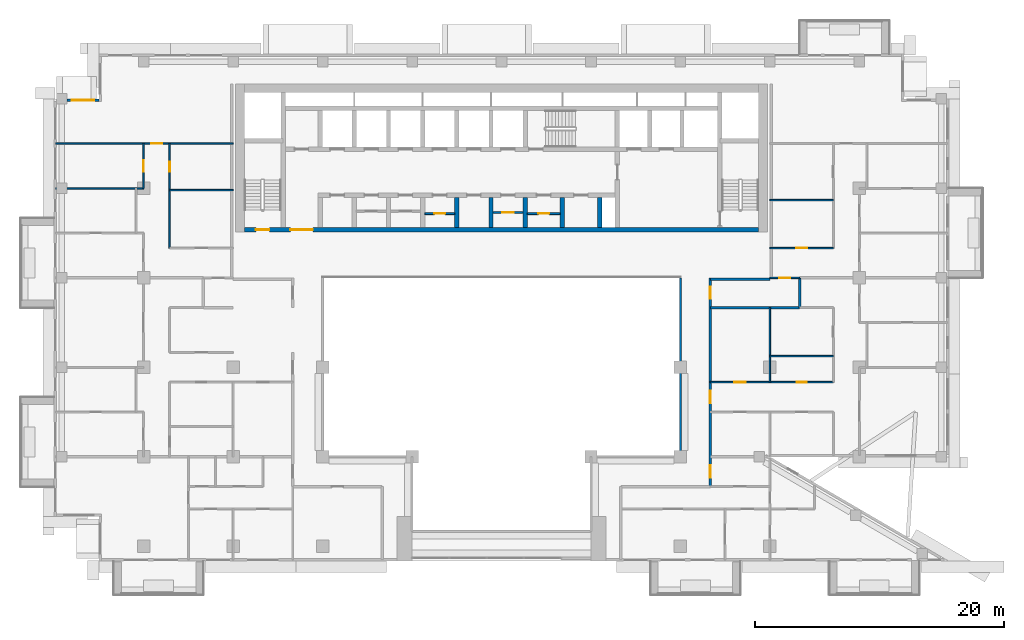
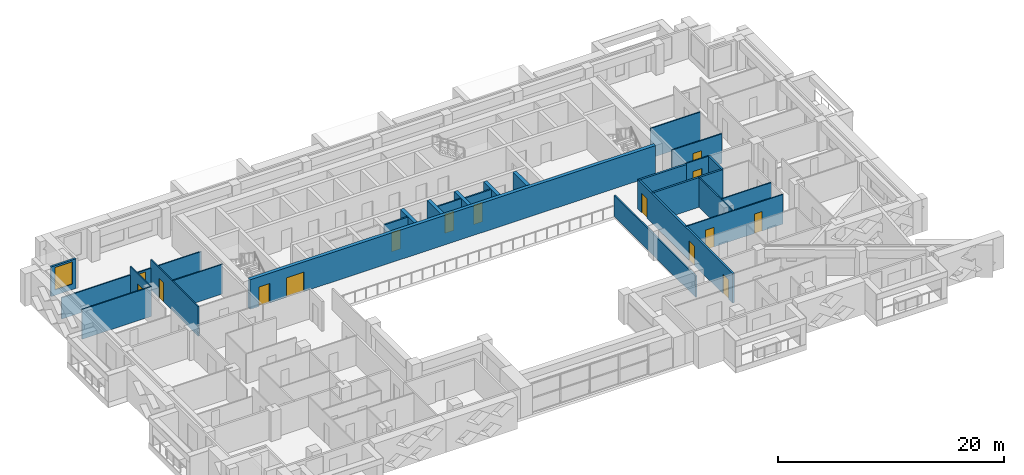
# One storey, part 9 of 20: 26 walls, 15 doors, 1 window, 16 openings.
"""IFC4 building model written with IfcOpenShell, lengths in metres."""

import ifcopenshell
import ifcopenshell.guid

model = None  # the IFC model being written
_history = None  # IfcOwnerHistory: only IFC2X3 demands one
_inside = {}  # id of a spatial element -> (the spatial element, [elements in it])
_under = {}  # id of a project, library or spatial element -> (it, [spatial elements below it])
_declared = {}  # id of a project -> (the project, [libraries it declares])
_typed = {}  # id of a type object -> (the type object, [elements of that type])
_made_of = {}  # id of a material, layer set ... -> (it, [elements and type objects made of it])


def new_model(schema):
    """Start an empty IFC model of exactly this schema.

    Asked for "IFC4X3", IfcOpenShell would pick the latest addendum, in which some entities
    have other attributes; the version numbers below select the first issue.
    IFC2X3 requires an IfcOwnerHistory on every rooted entity: one is made here for all.
    """
    global model, _history
    if schema == "IFC4X3":
        model = ifcopenshell.file(schema_version=(4, 3, 0, 0))
    else:
        model = ifcopenshell.file(schema=schema)
    _inside.clear()
    _under.clear()
    _declared.clear()
    _typed.clear()
    _made_of.clear()
    _history = None
    if model.schema == "IFC2X3":
        org = make("IfcOrganization", Name="unknown")
        user = make(
            "IfcPersonAndOrganization",
            ThePerson=make("IfcPerson", FamilyName="unknown"),
            TheOrganization=org,
        )
        app = make(
            "IfcApplication",
            ApplicationDeveloper=org,
            Version="unknown",
            ApplicationFullName="unknown",
            ApplicationIdentifier="unknown",
        )
        _history = make(
            "IfcOwnerHistory",
            OwningUser=user,
            OwningApplication=app,
            ChangeAction="ADDED",
            CreationDate=0,
        )
    return model


def make(cls, **values):
    """One entity of the class cls with the attributes given. An attribute that is None is left unset."""
    return model.create_entity(
        cls, **{name: value for name, value in values.items() if value is not None}
    )


def rooted(cls, **values):
    """An entity with a GlobalId (a new one), such as an element, a storey or a relation."""
    return make(cls, GlobalId=ifcopenshell.guid.new(), OwnerHistory=_history, **values)


def si_unit(unit_type, name, prefix=None):
    """IfcSIUnit, for example si_unit("LENGTHUNIT", "METRE", prefix="MILLI")."""
    return make("IfcSIUnit", UnitType=unit_type, Prefix=prefix, Name=name)


def assignment(units):
    """IfcUnitAssignment: the units of a project."""
    return None if units is None else make("IfcUnitAssignment", Units=units)


def point(xyz):
    """IfcCartesianPoint."""
    return None if xyz is None else make("IfcCartesianPoint", Coordinates=xyz)


def direction(xyz):
    """IfcDirection."""
    return None if xyz is None else make("IfcDirection", DirectionRatios=xyz)


def frame(location, z_axis=None, x_axis=None):
    """IfcAxis2Placement3D, a coordinate frame: its origin and axes. An axis left out is left unset."""
    return make(
        "IfcAxis2Placement3D",
        Location=point(location),
        Axis=direction(z_axis),
        RefDirection=direction(x_axis),
    )


def frame_2d(location, x_axis=None):
    """IfcAxis2Placement2D, a coordinate frame in the plane: its origin and x axis."""
    return make(
        "IfcAxis2Placement2D", Location=point(location), RefDirection=direction(x_axis)
    )


def origin():
    """The frame at (0, 0, 0) with its axes left unset."""
    return frame((0.0, 0.0, 0.0))


def place(relative_to, where):
    """IfcLocalPlacement: puts the frame where relative to a parent placement (None: the world)."""
    return make(
        "IfcLocalPlacement", PlacementRelTo=relative_to, RelativePlacement=where
    )


def context(
    kind, dimensions, precision=None, world=None, true_north=None, identifier=None
):
    """IfcGeometricRepresentationContext, for example the 3D "Model" context."""
    return make(
        "IfcGeometricRepresentationContext",
        ContextIdentifier=identifier,
        ContextType=kind,
        CoordinateSpaceDimension=dimensions,
        Precision=precision,
        WorldCoordinateSystem=world,
        TrueNorth=true_north,
    )


def subcontext(parent, identifier, kind, view, scale=None):
    """IfcGeometricRepresentationSubContext, for example "Body" below "Model"."""
    return make(
        "IfcGeometricRepresentationSubContext",
        ContextIdentifier=identifier,
        ContextType=kind,
        ParentContext=parent,
        TargetScale=scale,
        TargetView=view,
    )


def project(units=None, contexts=None):
    """IfcProject with its units and contexts."""
    return rooted(
        "IfcProject",
        Name="project",
        RepresentationContexts=contexts,
        UnitsInContext=assignment(units),
    )


def spatial(cls, under=None, at=None, **own):
    """A site, building, storey or space (cls), placed at a placement, below another one or the project."""
    s = rooted(cls, ObjectPlacement=at, **own)
    if under is not None:
        _under.setdefault(under.id(), (under, []))[1].append(s)
    return s


def profile(cls, at=None, kind="AREA", **sizes):
    """A parametric profile (cls). Its sizes go by their IFC names, for example OverallWidth=200.0."""
    return make(cls, ProfileType=kind, Position=at, **sizes)


def rectangle(**sizes):
    """IfcRectangleProfileDef."""
    return profile("IfcRectangleProfileDef", **sizes)


def extrude(swept, where, along, depth):
    """IfcExtrudedAreaSolid: the profile swept, set in the frame where, extruded along a direction by depth."""
    return make(
        "IfcExtrudedAreaSolid",
        SweptArea=swept,
        Position=where,
        ExtrudedDirection=direction(along),
        Depth=depth,
    )


def shape(context_of_items, identifier, shape_type, items):
    """IfcShapeRepresentation: the items that make up one representation, for example the "Body"."""
    return make(
        "IfcShapeRepresentation",
        ContextOfItems=context_of_items,
        RepresentationIdentifier=identifier,
        RepresentationType=shape_type,
        Items=items,
    )


def material(Name=None, Category=None):
    """IfcMaterial."""
    return make("IfcMaterial", Name=Name, Category=Category)


def layer(
    of_material, thickness, ventilated=None, Name=None, Category=None, Priority=None
):
    """IfcMaterialLayer: one layer of a wall or slab, of a material (None: an air gap)."""
    return make(
        "IfcMaterialLayer",
        Material=of_material,
        LayerThickness=thickness,
        IsVentilated=ventilated,
        Name=Name,
        Category=Category,
        Priority=Priority,
    )


def layer_set(layers, Name=None):
    """IfcMaterialLayerSet."""
    return make("IfcMaterialLayerSet", MaterialLayers=layers, LayerSetName=Name)


def made_of(thing, what):
    """Note that an element or type object is made of a material, layer set ...; save() writes the relation."""
    if what is not None:
        _made_of.setdefault(what.id(), (what, []))[1].append(thing)
    return thing


def type_object(cls, material=None, **own):
    """A type object (cls), such as IfcWallType, which elements share."""
    return made_of(rooted(cls, **own), material)


def element(
    cls,
    number,
    at=None,
    inside=None,
    cuts=None,
    type_object=None,
    material=None,
    context=None,
    identifier="Body",
    shape_type=None,
    held_by="IfcProductDefinitionShape",
    body=None,
    shapes=None,
    **own,
):
    """One element of the class cls, such as IfcWall. Its Tag is "e" and its number.

    at: its placement. inside: the storey or other place that contains it. cuts: it is an
    opening in that element (IfcRelVoidsElement). A single representation is given by context,
    identifier, shape_type and body (its items); several are given by shapes. held_by: the class
    of the entity that holds the representations. save() writes the other relations.
    """
    e = rooted(cls, Tag="e%d" % number, ObjectPlacement=at, **own)
    if body is not None:
        shapes = [shape(context, identifier, shape_type, body)]
    if shapes is not None:
        e.Representation = make(held_by, Representations=shapes)
    if inside is not None:
        _inside.setdefault(inside.id(), (inside, []))[1].append(e)
    if cuts is not None:
        rooted(
            "IfcRelVoidsElement", RelatingBuildingElement=cuts, RelatedOpeningElement=e
        )
    if type_object is not None:
        _typed.setdefault(type_object.id(), (type_object, []))[1].append(e)
    return made_of(e, material)


def fill(opening, filler):
    """IfcRelFillsElement: the door or window that sits in an opening."""
    return rooted(
        "IfcRelFillsElement",
        RelatingOpeningElement=opening,
        RelatedBuildingElement=filler,
    )


def aggregate(whole, parts):
    """IfcRelAggregates: a whole, such as a stair, and the parts it consists of."""
    return rooted("IfcRelAggregates", RelatingObject=whole, RelatedObjects=parts)


def save(model, path):
    """Write the relations noted so far, then the file.

    IfcRelAggregates (storeys below a building ...), IfcRelContainedInSpatialStructure (elements
    in a storey), IfcRelDefinesByType, IfcRelAssociatesMaterial and IfcRelDeclares: one each for
    every whole, place, type object, material and project.
    """
    for whole, parts in _under.values():
        aggregate(whole, parts)
    for where, things in _inside.values():
        rooted(
            "IfcRelContainedInSpatialStructure",
            RelatedElements=things,
            RelatingStructure=where,
        )
    for kind, things in _typed.values():
        rooted("IfcRelDefinesByType", RelatedObjects=things, RelatingType=kind)
    for what, things in _made_of.values():
        rooted("IfcRelAssociatesMaterial", RelatedObjects=things, RelatingMaterial=what)
    for by, libraries in _declared.values():
        rooted("IfcRelDeclares", RelatingContext=by, RelatedDefinitions=libraries)
    model.write(path)


model = new_model("IFC4")

# Units and contexts
model_context = context("Model", 3, precision=1e-05, world=origin(), true_north=direction((0.0, 1.0)))
body_context = subcontext(model_context, "Body", "Model", "MODEL_VIEW")
ifc_project = project(units=[si_unit("LENGTHUNIT", "METRE"), si_unit("AREAUNIT", "SQUARE_METRE"), si_unit("VOLUMEUNIT", "CUBIC_METRE"), si_unit("PLANEANGLEUNIT", "RADIAN"), si_unit("MASSUNIT", "GRAM", prefix="KILO")], contexts=[model_context])

# Site, building, storey
site_placement = place(None, origin())
site = spatial("IfcSite", under=ifc_project, at=site_placement, CompositionType="ELEMENT")
building_placement = place(site_placement, origin())
building = spatial("IfcBuilding", under=site, at=building_placement, Name="Saffron Iwan Residences", CompositionType="ELEMENT")
storey_placement = place(building_placement, frame((0.0, 0.0, 171.0)))
storey = spatial("IfcBuildingStorey", under=building, at=storey_placement, Name="L45", CompositionType="ELEMENT", Elevation=171.0)

# Wall
ifc_material_1 = material(Name="Fire-rated glazing", Category="glass")
ifc_layer_1 = layer(ifc_material_1, 0.14990234375)
ifc_layer_set_1 = layer_set([ifc_layer_1], Name="Fire-rated glazing")
wall_type_1 = type_object("IfcWallType", Name="Atrium glazed screen 150", PredefinedType="SOLIDWALL", material=ifc_layer_set_1)
wall_1_placement = place(storey_placement, frame((64.800048828125, 48.0, 0.0), z_axis=(0.0, 0.0, 1.0), x_axis=(0.0, 1.0, 0.0)))
element("IfcWall", 1, at=wall_1_placement, inside=storey, type_object=wall_type_1, Name="W-L45-SCREEN-v64.8-48", PredefinedType="SOLIDWALL", context=body_context, shape_type="SweptSolid", body=[
    extrude(rectangle(XDim=14.39990234375, YDim=0.14990234375, at=frame_2d((7.199951171875, 0.0))), origin(), (0.0, 0.0, 1.0), 2.300048828125),
])

# Wall, opening, door
ifc_material_2 = material(Name="Fire-rated plasterboard partition")
ifc_layer_2 = layer(ifc_material_2, 0.14990234375)
ifc_layer_set_2 = layer_set([ifc_layer_2], Name="Fire-rated plasterboard partition")
wall_type_2 = type_object("IfcWallType", Name="Core partition 150", PredefinedType="PARTITIONING", material=ifc_layer_set_2)
wall_2_placement = place(storey_placement, frame((44.22509765625, 67.5654296875, 0.0), z_axis=(0.0, 0.0, 1.0), x_axis=(1.0, 0.0, 0.0)))
wall_2 = element("IfcWall", 2, at=wall_2_placement, inside=storey, type_object=wall_type_2, Name="Core partition P03", PredefinedType="PARTITIONING", context=body_context, shape_type="SweptSolid", body=[
    extrude(rectangle(XDim=2.39990234375, YDim=0.14990234375, at=frame_2d((1.199951171875, 0.0))), origin(), (0.0, 0.0, 1.0), 3.199951171875),
])
opening_1_placement = place(wall_2_placement, frame((0.75, 0.0, 0.0)))
opening_1 = element("IfcOpeningElement", 3, at=opening_1_placement, cuts=wall_2, Name="Opening SB", PredefinedType="OPENING", context=body_context, shape_type="SweptSolid", body=[
    extrude(rectangle(XDim=0.89990234375, YDim=2.10009765625, at=frame_2d((0.449951171875, 1.050048828125))), frame((0.0, 0.0849609375, 0.0), z_axis=(0.0, -1.0, 0.0), x_axis=(1.0, 0.0, 0.0)), (0.0, 0.0, 1.0), 0.169921875),
])
ifc_material_3 = material(Name="Steel fire door", Category="steel")
door_type_1 = type_object("IfcDoorType", Name="Store door 900", OperationType="NOTDEFINED", PredefinedType="DOOR", material=ifc_material_3)
door_1_placement = place(opening_1_placement, origin())
door_1 = element("IfcDoor", 4, at=door_1_placement, inside=storey, type_object=door_type_1, Name="Door Spares store", OperationType="SINGLE_SWING_LEFT", OverallHeight=2.10009765625, OverallWidth=0.89990234375, PredefinedType="DOOR", context=body_context, shape_type="SweptSolid", body=[
    extrude(rectangle(XDim=0.89990234375, YDim=2.10009765625, at=frame_2d((0.449951171875, 1.050048828125))), frame((0.0, 0.02490234375, 0.0), z_axis=(0.0, -1.0, 0.0), x_axis=(1.0, 0.0, 0.0)), (0.0, 0.0, 1.0), 0.050048828125),
])
fill(opening_1, door_1)

wall_3_placement = place(storey_placement, frame((49.72509765625, 67.66259765625, 0.0), z_axis=(0.0, 0.0, 1.0), x_axis=(1.0, 0.0, 0.0)))
wall_3 = element("IfcWall", 5, at=wall_3_placement, inside=storey, type_object=wall_type_2, Name="Core partition P04", PredefinedType="PARTITIONING", context=body_context, shape_type="SweptSolid", body=[
    extrude(rectangle(XDim=2.39990234375, YDim=0.14990234375, at=frame_2d((1.199951171875, 0.0))), origin(), (0.0, 0.0, 1.0), 3.199951171875),
])
opening_2_placement = place(wall_3_placement, frame((0.75, 0.0, 0.0)))
opening_2 = element("IfcOpeningElement", 6, at=opening_2_placement, cuts=wall_3, Name="Opening SB", PredefinedType="OPENING", context=body_context, shape_type="SweptSolid", body=[
    extrude(rectangle(XDim=0.89990234375, YDim=2.10009765625, at=frame_2d((0.449951171875, 1.050048828125))), frame((0.0, 0.0849609375, 0.0), z_axis=(0.0, -1.0, 0.0), x_axis=(1.0, 0.0, 0.0)), (0.0, 0.0, 1.0), 0.169921875),
])
door_2_placement = place(opening_2_placement, origin())
door_2 = element("IfcDoor", 7, at=door_2_placement, inside=storey, type_object=door_type_1, Name="Door Records store", OperationType="SINGLE_SWING_LEFT", OverallHeight=2.10009765625, OverallWidth=0.89990234375, PredefinedType="DOOR", context=body_context, shape_type="SweptSolid", body=[
    extrude(rectangle(XDim=0.89990234375, YDim=2.10009765625, at=frame_2d((0.449951171875, 1.050048828125))), frame((0.0, 0.02490234375, 0.0), z_axis=(0.0, -1.0, 0.0), x_axis=(1.0, 0.0, 0.0)), (0.0, 0.0, 1.0), 0.050048828125),
])
fill(opening_2, door_2)

wall_4_placement = place(storey_placement, frame((52.47509765625, 67.5654296875, 0.0), z_axis=(0.0, 0.0, 1.0), x_axis=(1.0, 0.0, 0.0)))
wall_4 = element("IfcWall", 8, at=wall_4_placement, inside=storey, type_object=wall_type_2, Name="Core partition P05", PredefinedType="PARTITIONING", context=body_context, shape_type="SweptSolid", body=[
    extrude(rectangle(XDim=2.64990234375, YDim=0.14990234375, at=frame_2d((1.324951171875, 0.0))), origin(), (0.0, 0.0, 1.0), 3.199951171875),
])
opening_3_placement = place(wall_4_placement, frame((0.875, 0.0, 0.0)))
opening_3 = element("IfcOpeningElement", 9, at=opening_3_placement, cuts=wall_4, Name="Opening SB", PredefinedType="OPENING", context=body_context, shape_type="SweptSolid", body=[
    extrude(rectangle(XDim=0.89990234375, YDim=2.10009765625, at=frame_2d((0.449951171875, 1.050048828125))), frame((0.0, 0.0849609375, 0.0), z_axis=(0.0, -1.0, 0.0), x_axis=(1.0, 0.0, 0.0)), (0.0, 0.0, 1.0), 0.169921875),
])
door_3_placement = place(opening_3_placement, origin())
door_3 = element("IfcDoor", 10, at=door_3_placement, inside=storey, type_object=door_type_1, Name="Door Equipment store", OperationType="SINGLE_SWING_RIGHT", OverallHeight=2.10009765625, OverallWidth=0.89990234375, PredefinedType="DOOR", context=body_context, shape_type="SweptSolid", body=[
    extrude(rectangle(XDim=0.89990234375, YDim=2.10009765625, at=frame_2d((0.449951171875, 1.050048828125))), frame((0.0, 0.02490234375, 0.0), z_axis=(0.0, -1.0, 0.0), x_axis=(1.0, 0.0, 0.0)), (0.0, 0.0, 1.0), 0.050048828125),
])
fill(opening_3, door_3)

# Wall, opening, window
ifc_material_4 = material(Name="Concrete C40/50", Category="concrete")
ifc_layer_3 = layer(ifc_material_4, 0.199951171875)
ifc_layer_set_3 = layer_set([ifc_layer_3], Name="Concrete C40/50")
wall_type_3 = type_object("IfcWallType", Name="EXTERNAL WALL 200", PredefinedType="SOLIDWALL", material=ifc_layer_set_3)
wall_5_placement = place(storey_placement, frame((18.0, 76.699951171875, 0.0), z_axis=(0.0, 0.0, 1.0), x_axis=(-1.0, 0.0, 0.0)))
wall_5 = element("IfcWall", 11, at=wall_5_placement, inside=storey, type_object=wall_type_3, Name="External wall L45 F7.0", PredefinedType="SOLIDWALL", context=body_context, shape_type="SweptSolid", body=[
    extrude(rectangle(XDim=2.574951171875, YDim=0.199951171875, at=frame_2d((1.28759765625, 0.0))), origin(), (0.0, 0.0, 1.0), 3.199951171875),
])
opening_4_placement = place(wall_5_placement, frame((0.387451171875, 0.0, 0.60009765625)))
opening_4 = element("IfcOpeningElement", 12, at=opening_4_placement, cuts=wall_5, Name="Opening W8", PredefinedType="OPENING", context=body_context, shape_type="SweptSolid", body=[
    extrude(rectangle(XDim=1.800048828125, YDim=2.39990234375, at=frame_2d((0.89990234375, 1.199951171875))), frame((0.0, 0.10986328125, 0.0), z_axis=(0.0, -1.0, 0.0), x_axis=(1.0, 0.0, 0.0)), (0.0, 0.0, 1.0), 0.219970703125),
])
ifc_material_5 = material(Name="Clear glass, laminated double glazed", Category="glass")
window_type = type_object("IfcWindowType", Name="WINDOW 1800 x 2400", PartitioningType="DOUBLE_PANEL_VERTICAL", PredefinedType="WINDOW", material=ifc_material_5)
window_placement = place(opening_4_placement, origin())
window = element("IfcWindow", 13, at=window_placement, inside=storey, type_object=window_type, Name="Window L45 F7.0", OverallHeight=2.39990234375, OverallWidth=1.800048828125, PartitioningType="DOUBLE_PANEL_VERTICAL", PredefinedType="WINDOW", context=body_context, shape_type="SweptSolid", body=[
    extrude(rectangle(XDim=1.800048828125, YDim=2.39990234375, at=frame_2d((0.89990234375, 1.199951171875))), frame((0.0, 0.030029296875, 0.0), z_axis=(0.0, -1.0, 0.0), x_axis=(1.0, 0.0, 0.0)), (0.0, 0.0, 1.0), 0.06005859375),
])
fill(opening_4, window)

# Walls
ifc_material_6 = material(Name="Fire-rated gypsum board wall")
ifc_layer_4 = layer(ifc_material_6, 0.199951171875)
ifc_layer_set_4 = layer_set([ifc_layer_4], Name="Fire-rated gypsum board wall")
wall_type_4 = type_object("IfcWallType", Name="Flat demising wall 200", PredefinedType="SOLIDWALL", material=ifc_layer_set_4)
wall_6_placement = place(storey_placement, frame((67.199951171875, 60.0, 0.0), z_axis=(0.0, 0.0, 1.0), x_axis=(1.0, 0.0, 0.0)))
element("IfcWall", 14, at=wall_6_placement, inside=storey, type_object=wall_type_4, Name="W-L45-DEMISE-h60-67.2", PredefinedType="SOLIDWALL", context=body_context, shape_type="SweptSolid", body=[
    extrude(rectangle(XDim=7.199951171875, YDim=0.199951171875, at=frame_2d((3.60009765625, 0.0))), origin(), (0.0, 0.0, 1.0), 3.199951171875),
])
wall_7_placement = place(storey_placement, frame((74.39990234375, 60.0, 0.0), z_axis=(0.0, 0.0, 1.0), x_axis=(0.0, 1.0, 0.0)))
element("IfcWall", 15, at=wall_7_placement, inside=storey, type_object=wall_type_4, Name="W-L45-DEMISE-v74.4-60", PredefinedType="SOLIDWALL", context=body_context, shape_type="SweptSolid", body=[
    extrude(rectangle(XDim=2.39990234375, YDim=0.199951171875, at=frame_2d((1.199951171875, 0.0))), origin(), (0.0, 0.0, 1.0), 3.199951171875),
])

# Wall, openings, doors
ifc_material_7 = material(Name="Gypsum board partition")
ifc_layer_5 = layer(ifc_material_7, 0.1201171875)
ifc_layer_set_5 = layer_set([ifc_layer_5], Name="Gypsum board partition")
wall_type_5 = type_object("IfcWallType", Name="Flat partition 120", PredefinedType="PARTITIONING", material=ifc_layer_set_5)
wall_8_placement = place(storey_placement, frame((67.199951171875, 54.0, 0.0), z_axis=(0.0, 0.0, 1.0), x_axis=(1.0, 0.0, 0.0)))
wall_8 = element("IfcWall", 16, at=wall_8_placement, inside=storey, type_object=wall_type_5, Name="W-L45-PART-h54-67.2", PredefinedType="PARTITIONING", context=body_context, shape_type="SweptSolid", body=[
    extrude(rectangle(XDim=9.900146484375, YDim=0.1201171875, at=frame_2d((4.9501953125, 0.0))), origin(), (0.0, 0.0, 1.0), 3.199951171875),
])
opening_5_placement = place(wall_8_placement, frame((6.949951171875, 0.0, 0.0)))
opening_5 = element("IfcOpeningElement", 17, at=opening_5_placement, cuts=wall_8, Name="Opening FD3", PredefinedType="OPENING", context=body_context, shape_type="SweptSolid", body=[
    extrude(rectangle(XDim=0.800048828125, YDim=2.10009765625, at=frame_2d((0.39990234375, 1.050048828125))), frame((0.0, 0.070068359375, 0.0), z_axis=(0.0, -1.0, 0.0), x_axis=(1.0, 0.0, 0.0)), (0.0, 0.0, 1.0), 0.14013671875),
])
opening_6_placement = place(wall_8_placement, frame((1.949951171875, 0.0, 0.0)))
opening_6 = element("IfcOpeningElement", 18, at=opening_6_placement, cuts=wall_8, Name="Opening FD2", PredefinedType="OPENING", context=body_context, shape_type="SweptSolid", body=[
    extrude(rectangle(XDim=0.89990234375, YDim=2.10009765625, at=frame_2d((0.449951171875, 1.050048828125))), frame((0.0, 0.070068359375, 0.0), z_axis=(0.0, -1.0, 0.0), x_axis=(1.0, 0.0, 0.0)), (0.0, 0.0, 1.0), 0.14013671875),
])
ifc_material_8 = material(Name="Timber door", Category="wood")
door_type_2 = type_object("IfcDoorType", Name="Bathroom door 800", OperationType="NOTDEFINED", PredefinedType="DOOR", material=ifc_material_8)
door_4_placement = place(opening_5_placement, origin())
door_4 = element("IfcDoor", 19, at=door_4_placement, inside=storey, type_object=door_type_2, Name="Door L45-021", OperationType="SINGLE_SWING_LEFT", OverallHeight=2.10009765625, OverallWidth=0.800048828125, PredefinedType="DOOR", context=body_context, shape_type="SweptSolid", body=[
    extrude(rectangle(XDim=0.800048828125, YDim=2.10009765625, at=frame_2d((0.39990234375, 1.050048828125))), frame((0.0, 0.02490234375, 0.0), z_axis=(0.0, -1.0, 0.0), x_axis=(1.0, 0.0, 0.0)), (0.0, 0.0, 1.0), 0.050048828125),
])
fill(opening_5, door_4)
door_type_3 = type_object("IfcDoorType", Name="Flat door 900", OperationType="NOTDEFINED", PredefinedType="DOOR", material=ifc_material_8)
door_5_placement = place(opening_6_placement, origin())
door_5 = element("IfcDoor", 20, at=door_5_placement, inside=storey, type_object=door_type_3, Name="Door L45-024", OperationType="SINGLE_SWING_LEFT", OverallHeight=2.10009765625, OverallWidth=0.89990234375, PredefinedType="DOOR", context=body_context, shape_type="SweptSolid", body=[
    extrude(rectangle(XDim=0.89990234375, YDim=2.10009765625, at=frame_2d((0.449951171875, 1.050048828125))), frame((0.0, 0.02490234375, 0.0), z_axis=(0.0, -1.0, 0.0), x_axis=(1.0, 0.0, 0.0)), (0.0, 0.0, 1.0), 0.050048828125),
])
fill(opening_6, door_5)

# Wall
wall_9_placement = place(storey_placement, frame((72.0, 56.10009765625, 0.0), z_axis=(0.0, 0.0, 1.0), x_axis=(1.0, 0.0, 0.0)))
element("IfcWall", 21, at=wall_9_placement, inside=storey, type_object=wall_type_5, Name="W-L45-PART-h56.1-72", PredefinedType="PARTITIONING", context=body_context, shape_type="SweptSolid", body=[
    extrude(rectangle(XDim=5.10009765625, YDim=0.1201171875, at=frame_2d((2.550048828125, 0.0))), origin(), (0.0, 0.0, 1.0), 3.199951171875),
])

# Wall, opening, door
wall_10_placement = place(storey_placement, frame((72.0, 62.39990234375, 0.0), z_axis=(0.0, 0.0, 1.0), x_axis=(1.0, 0.0, 0.0)))
wall_10 = element("IfcWall", 22, at=wall_10_placement, inside=storey, type_object=wall_type_5, Name="W-L45-PART-h62.4-72", PredefinedType="PARTITIONING", context=body_context, shape_type="SweptSolid", body=[
    extrude(rectangle(XDim=2.39990234375, YDim=0.1201171875, at=frame_2d((1.199951171875, 0.0))), origin(), (0.0, 0.0, 1.0), 3.199951171875),
])
opening_7_placement = place(wall_10_placement, frame((0.75, 0.0, 0.0)))
opening_7 = element("IfcOpeningElement", 23, at=opening_7_placement, cuts=wall_10, Name="Opening FD2", PredefinedType="OPENING", context=body_context, shape_type="SweptSolid", body=[
    extrude(rectangle(XDim=0.89990234375, YDim=2.10009765625, at=frame_2d((0.449951171875, 1.050048828125))), frame((0.0, 0.070068359375, 0.0), z_axis=(0.0, -1.0, 0.0), x_axis=(1.0, 0.0, 0.0)), (0.0, 0.0, 1.0), 0.14013671875),
])
door_6_placement = place(opening_7_placement, origin())
door_6 = element("IfcDoor", 24, at=door_6_placement, inside=storey, type_object=door_type_3, Name="Door L45-033", OperationType="SINGLE_SWING_LEFT", OverallHeight=2.10009765625, OverallWidth=0.89990234375, PredefinedType="DOOR", context=body_context, shape_type="SweptSolid", body=[
    extrude(rectangle(XDim=0.89990234375, YDim=2.10009765625, at=frame_2d((0.449951171875, 1.050048828125))), frame((0.0, 0.02490234375, 0.0), z_axis=(0.0, -1.0, 0.0), x_axis=(1.0, 0.0, 0.0)), (0.0, 0.0, 1.0), 0.050048828125),
])
fill(opening_7, door_6)

wall_11_placement = place(storey_placement, frame((72.0, 64.800048828125, 0.0), z_axis=(0.0, 0.0, 1.0), x_axis=(1.0, 0.0, 0.0)))
wall_11 = element("IfcWall", 25, at=wall_11_placement, inside=storey, type_object=wall_type_5, Name="W-L45-PART-h64.8-72", PredefinedType="PARTITIONING", context=body_context, shape_type="SweptSolid", body=[
    extrude(rectangle(XDim=5.10009765625, YDim=0.1201171875, at=frame_2d((2.550048828125, 0.0))), origin(), (0.0, 0.0, 1.0), 3.199951171875),
])
opening_8_placement = place(wall_11_placement, frame((2.10009765625, 0.0, 0.0)))
opening_8 = element("IfcOpeningElement", 26, at=opening_8_placement, cuts=wall_11, Name="Opening FD2", PredefinedType="OPENING", context=body_context, shape_type="SweptSolid", body=[
    extrude(rectangle(XDim=0.89990234375, YDim=2.10009765625, at=frame_2d((0.449951171875, 1.050048828125))), frame((0.0, 0.070068359375, 0.0), z_axis=(0.0, -1.0, 0.0), x_axis=(1.0, 0.0, 0.0)), (0.0, 0.0, 1.0), 0.14013671875),
])
door_7_placement = place(opening_8_placement, origin())
door_7 = element("IfcDoor", 27, at=door_7_placement, inside=storey, type_object=door_type_3, Name="Door L45-039", OperationType="SINGLE_SWING_LEFT", OverallHeight=2.10009765625, OverallWidth=0.89990234375, PredefinedType="DOOR", context=body_context, shape_type="SweptSolid", body=[
    extrude(rectangle(XDim=0.89990234375, YDim=2.10009765625, at=frame_2d((0.449951171875, 1.050048828125))), frame((0.0, 0.02490234375, 0.0), z_axis=(0.0, -1.0, 0.0), x_axis=(1.0, 0.0, 0.0)), (0.0, 0.0, 1.0), 0.050048828125),
])
fill(opening_8, door_7)

# Walls
for number, where, z_axis, x_axis, name in (
    (28, (72.0, 68.64990234375, 0.0), (0.0, 0.0, 1.0), (1.0, 0.0, 0.0), "W-L45-PART-h68.65-72"),
    (29, (23.699951171875, 69.449951171875, 0.0), (0.0, 0.0, 1.0), (1.0, 0.0, 0.0), "W-L45-PART-h69.45-23.7"),
):
    element("IfcWall", number, at=place(storey_placement, frame(where, z_axis=z_axis, x_axis=x_axis)), inside=storey, type_object=wall_type_5, Name=name, PredefinedType="PARTITIONING", context=body_context, shape_type="SweptSolid", body=[
        extrude(rectangle(XDim=5.10009765625, YDim=0.1201171875, at=frame_2d((2.550048828125, 0.0))), origin(), (0.0, 0.0, 1.0), 3.199951171875),
    ])
wall_12_placement = place(storey_placement, frame((14.52490234375, 69.60009765625, 0.0), z_axis=(0.0, 0.0, 1.0), x_axis=(1.0, 0.0, 0.0)))
element("IfcWall", 30, at=wall_12_placement, inside=storey, type_object=wall_type_5, Name="W-L45-PART-h69.6-14.525", PredefinedType="PARTITIONING", context=body_context, shape_type="SweptSolid", body=[
    extrude(rectangle(XDim=7.0751953125, YDim=0.1201171875, at=frame_2d((3.53759765625, 0.0))), origin(), (0.0, 0.0, 1.0), 3.199951171875),
])

# Wall, opening, door
wall_13_placement = place(storey_placement, frame((14.52490234375, 73.199951171875, 0.0), z_axis=(0.0, 0.0, 1.0), x_axis=(1.0, 0.0, 0.0)))
wall_13 = element("IfcWall", 31, at=wall_13_placement, inside=storey, type_object=wall_type_5, Name="W-L45-PART-h73.2-14.525", PredefinedType="PARTITIONING", context=body_context, shape_type="SweptSolid", body=[
    extrude(rectangle(XDim=14.275146484375, YDim=0.1201171875, at=frame_2d((7.1376953125, 0.0))), origin(), (0.0, 0.0, 1.0), 2.300048828125),
])
opening_9_placement = place(wall_13_placement, frame((7.675048828125, 0.0, 0.0)))
opening_9 = element("IfcOpeningElement", 32, at=opening_9_placement, cuts=wall_13, Name="Opening FD2", PredefinedType="OPENING", context=body_context, shape_type="SweptSolid", body=[
    extrude(rectangle(XDim=0.89990234375, YDim=2.10009765625, at=frame_2d((0.449951171875, 1.050048828125))), frame((0.0, 0.070068359375, 0.0), z_axis=(0.0, -1.0, 0.0), x_axis=(1.0, 0.0, 0.0)), (0.0, 0.0, 1.0), 0.14013671875),
])
door_8_placement = place(opening_9_placement, origin())
door_8 = element("IfcDoor", 33, at=door_8_placement, inside=storey, type_object=door_type_3, Name="Door L45-030", OperationType="SINGLE_SWING_LEFT", OverallHeight=2.10009765625, OverallWidth=0.89990234375, PredefinedType="DOOR", context=body_context, shape_type="SweptSolid", body=[
    extrude(rectangle(XDim=0.89990234375, YDim=2.10009765625, at=frame_2d((0.449951171875, 1.050048828125))), frame((0.0, 0.02490234375, 0.0), z_axis=(0.0, -1.0, 0.0), x_axis=(1.0, 0.0, 0.0)), (0.0, 0.0, 1.0), 0.050048828125),
])
fill(opening_9, door_8)

wall_14_placement = place(storey_placement, frame((21.60009765625, 69.60009765625, 0.0), z_axis=(0.0, 0.0, 1.0), x_axis=(0.0, 1.0, 0.0)))
wall_14 = element("IfcWall", 34, at=wall_14_placement, inside=storey, type_object=wall_type_5, Name="W-L45-PART-v21.6-69.6", PredefinedType="PARTITIONING", context=body_context, shape_type="SweptSolid", body=[
    extrude(rectangle(XDim=3.599853515625, YDim=0.1201171875, at=frame_2d((1.7998046875, 0.0))), origin(), (0.0, 0.0, 1.0), 3.199951171875),
])
opening_10_placement = place(wall_14_placement, frame((1.35009765625, 0.0, 0.0)))
opening_10 = element("IfcOpeningElement", 35, at=opening_10_placement, cuts=wall_14, Name="Opening FD2", PredefinedType="OPENING", context=body_context, shape_type="SweptSolid", body=[
    extrude(rectangle(XDim=0.89990234375, YDim=2.10009765625, at=frame_2d((0.449951171875, 1.050048828125))), frame((0.0, 0.070068359375, 0.0), z_axis=(0.0, -1.0, 0.0), x_axis=(1.0, 0.0, 0.0)), (0.0, 0.0, 1.0), 0.14013671875),
])
door_9_placement = place(opening_10_placement, origin())
door_9 = element("IfcDoor", 36, at=door_9_placement, inside=storey, type_object=door_type_3, Name="Door L45-029", OperationType="SINGLE_SWING_LEFT", OverallHeight=2.10009765625, OverallWidth=0.89990234375, PredefinedType="DOOR", context=body_context, shape_type="SweptSolid", body=[
    extrude(rectangle(XDim=0.89990234375, YDim=2.10009765625, at=frame_2d((0.449951171875, 1.050048828125))), frame((0.0, 0.02490234375, 0.0), z_axis=(0.0, -1.0, 0.0), x_axis=(1.0, 0.0, 0.0)), (0.0, 0.0, 1.0), 0.050048828125),
])
fill(opening_10, door_9)

wall_15_placement = place(storey_placement, frame((23.699951171875, 64.800048828125, 0.0), z_axis=(0.0, 0.0, 1.0), x_axis=(0.0, 1.0, 0.0)))
wall_15 = element("IfcWall", 37, at=wall_15_placement, inside=storey, type_object=wall_type_5, Name="W-L45-PART-v23.7-64.8", PredefinedType="PARTITIONING", context=body_context, shape_type="SweptSolid", body=[
    extrude(rectangle(XDim=8.39990234375, YDim=0.1201171875, at=frame_2d((4.199951171875, 0.0))), origin(), (0.0, 0.0, 1.0), 3.199951171875),
])
opening_11_placement = place(wall_15_placement, frame((6.125, 0.0, 0.0)))
opening_11 = element("IfcOpeningElement", 38, at=opening_11_placement, cuts=wall_15, Name="Opening FD3", PredefinedType="OPENING", context=body_context, shape_type="SweptSolid", body=[
    extrude(rectangle(XDim=0.800048828125, YDim=2.10009765625, at=frame_2d((0.39990234375, 1.050048828125))), frame((0.0, 0.070068359375, 0.0), z_axis=(0.0, -1.0, 0.0), x_axis=(1.0, 0.0, 0.0)), (0.0, 0.0, 1.0), 0.14013671875),
])
door_10_placement = place(opening_11_placement, origin())
door_10 = element("IfcDoor", 39, at=door_10_placement, inside=storey, type_object=door_type_2, Name="Door L45-032", OperationType="SINGLE_SWING_LEFT", OverallHeight=2.10009765625, OverallWidth=0.800048828125, PredefinedType="DOOR", context=body_context, shape_type="SweptSolid", body=[
    extrude(rectangle(XDim=0.800048828125, YDim=2.10009765625, at=frame_2d((0.39990234375, 1.050048828125))), frame((0.0, 0.02490234375, 0.0), z_axis=(0.0, -1.0, 0.0), x_axis=(1.0, 0.0, 0.0)), (0.0, 0.0, 1.0), 0.050048828125),
])
fill(opening_11, door_10)

# Walls
wall_16_placement = place(storey_placement, frame((72.0, 54.0, 0.0), z_axis=(0.0, 0.0, 1.0), x_axis=(0.0, 1.0, 0.0)))
element("IfcWall", 40, at=wall_16_placement, inside=storey, type_object=wall_type_5, Name="W-L45-PART-v72-54", PredefinedType="PARTITIONING", context=body_context, shape_type="SweptSolid", body=[
    extrude(rectangle(XDim=6.0, YDim=0.1201171875, at=frame_2d((3.0, 0.0))), origin(), (0.0, 0.0, 1.0), 3.199951171875),
])
ifc_layer_6 = layer(ifc_material_6, 0.199951171875)
ifc_layer_set_6 = layer_set([ifc_layer_6], Name="Fire-rated gypsum board wall")
wall_type_6 = type_object("IfcWallType", Name="Gallery wall 200", PredefinedType="SOLIDWALL", material=ifc_layer_set_6)
wall_17_placement = place(storey_placement, frame((67.199951171875, 62.300048828125, 0.0), z_axis=(0.0, 0.0, 1.0), x_axis=(1.0, 0.0, 0.0)))
element("IfcWall", 41, at=wall_17_placement, inside=storey, type_object=wall_type_6, Name="W-L45-CORR-h62.4-67.2", PredefinedType="SOLIDWALL", context=body_context, shape_type="SweptSolid", body=[
    extrude(rectangle(XDim=4.800048828125, YDim=0.199951171875, at=frame_2d((2.39990234375, 0.0))), origin(), (0.0, 0.0, 1.0), 3.199951171875),
])

# Wall, openings, doors
wall_18_placement = place(storey_placement, frame((67.199951171875, 45.60009765625, 0.0), z_axis=(0.0, 0.0, 1.0), x_axis=(0.0, 1.0, 0.0)))
wall_18 = element("IfcWall", 42, at=wall_18_placement, inside=storey, type_object=wall_type_6, Name="W-L45-CORR-v67.2-45.6", PredefinedType="SOLIDWALL", context=body_context, shape_type="SweptSolid", body=[
    extrude(rectangle(XDim=16.7998046875, YDim=0.199951171875, at=frame_2d((8.39990234375, 0.0))), origin(), (0.0, 0.0, 1.0), 3.199951171875),
])
opening_12_placement = place(wall_18_placement, frame((6.699951171875, 0.0, 0.0)))
opening_12 = element("IfcOpeningElement", 43, at=opening_12_placement, cuts=wall_18, Name="Opening FD1", PredefinedType="OPENING", context=body_context, shape_type="SweptSolid", body=[
    extrude(rectangle(XDim=1.0, YDim=2.10009765625, at=frame_2d((0.5, 1.050048828125))), frame((0.0, 0.10986328125, 0.0), z_axis=(0.0, -1.0, 0.0), x_axis=(1.0, 0.0, 0.0)), (0.0, 0.0, 1.0), 0.219970703125),
])
opening_13_placement = place(wall_18_placement, frame((15.10009765625, 0.0, 0.0)))
opening_13 = element("IfcOpeningElement", 44, at=opening_13_placement, cuts=wall_18, Name="Opening FD5", PredefinedType="OPENING", context=body_context, shape_type="SweptSolid", body=[
    extrude(rectangle(XDim=1.0, YDim=2.10009765625, at=frame_2d((0.5, 1.050048828125))), frame((0.0, 0.10986328125, 0.0), z_axis=(0.0, -1.0, 0.0), x_axis=(1.0, 0.0, 0.0)), (0.0, 0.0, 1.0), 0.219970703125),
])
opening_14_placement = place(wall_18_placement, frame((0.699951171875, 0.0, 0.0)))
opening_14 = element("IfcOpeningElement", 45, at=opening_14_placement, cuts=wall_18, Name="Opening FD5", PredefinedType="OPENING", context=body_context, shape_type="SweptSolid", body=[
    extrude(rectangle(XDim=1.0, YDim=2.10009765625, at=frame_2d((0.5, 1.050048828125))), frame((0.0, 0.10986328125, 0.0), z_axis=(0.0, -1.0, 0.0), x_axis=(1.0, 0.0, 0.0)), (0.0, 0.0, 1.0), 0.219970703125),
])
ifc_material_9 = material(Name="Fire-rated timber door", Category="wood")
door_type_4 = type_object("IfcDoorType", Name="FD30S flat entrance door 1000", OperationType="NOTDEFINED", PredefinedType="DOOR", material=ifc_material_9)
door_11_placement = place(opening_12_placement, origin())
door_11 = element("IfcDoor", 46, at=door_11_placement, inside=storey, type_object=door_type_4, Name="Door L45-016", OperationType="SINGLE_SWING_RIGHT", OverallHeight=2.10009765625, OverallWidth=1.0, PredefinedType="DOOR", context=body_context, shape_type="SweptSolid", body=[
    extrude(rectangle(XDim=1.0, YDim=2.10009765625, at=frame_2d((0.5, 1.050048828125))), frame((0.0, 0.02490234375, 0.0), z_axis=(0.0, -1.0, 0.0), x_axis=(1.0, 0.0, 0.0)), (0.0, 0.0, 1.0), 0.050048828125),
])
fill(opening_12, door_11)
door_type_5 = type_object("IfcDoorType", Name="Lobby door 1000", OperationType="NOTDEFINED", PredefinedType="DOOR", material=ifc_material_9)
door_12_placement = place(opening_13_placement, origin())
door_12 = element("IfcDoor", 47, at=door_12_placement, inside=storey, type_object=door_type_5, Name="Door L45-034", OperationType="SINGLE_SWING_RIGHT", OverallHeight=2.10009765625, OverallWidth=1.0, PredefinedType="DOOR", context=body_context, shape_type="SweptSolid", body=[
    extrude(rectangle(XDim=1.0, YDim=2.10009765625, at=frame_2d((0.5, 1.050048828125))), frame((0.0, 0.02490234375, 0.0), z_axis=(0.0, -1.0, 0.0), x_axis=(1.0, 0.0, 0.0)), (0.0, 0.0, 1.0), 0.050048828125),
])
fill(opening_13, door_12)
door_13_placement = place(opening_14_placement, origin())
door_13 = element("IfcDoor", 48, at=door_13_placement, inside=storey, type_object=door_type_5, Name="Door L45-043", OperationType="SINGLE_SWING_RIGHT", OverallHeight=2.10009765625, OverallWidth=1.0, PredefinedType="DOOR", context=body_context, shape_type="SweptSolid", body=[
    extrude(rectangle(XDim=1.0, YDim=2.10009765625, at=frame_2d((0.5, 1.050048828125))), frame((0.0, 0.02490234375, 0.0), z_axis=(0.0, -1.0, 0.0), x_axis=(1.0, 0.0, 0.0)), (0.0, 0.0, 1.0), 0.050048828125),
])
fill(opening_14, door_13)

ifc_material_10 = material(Name="Concrete C50/60", Category="concrete")
ifc_layer_7 = layer(ifc_material_10, 0.35009765625)
ifc_layer_set_7 = layer_set([ifc_layer_7], Name="Concrete C50/60")
wall_type_7 = type_object("IfcWallType", Name="WALL CORE 350 C50/60 3200 HIGH", PredefinedType="SHEAR", material=ifc_layer_set_7)
wall_19_placement = place(storey_placement, frame((29.699951171875, 66.27490234375, 0.0), z_axis=(0.0, 0.0, 1.0), x_axis=(1.0, 0.0, 0.0)))
wall_19 = element("IfcWall", 49, at=wall_19_placement, inside=storey, type_object=wall_type_7, Name="Core wall", PredefinedType="SHEAR", context=body_context, shape_type="SweptSolid", body=[
    extrude(rectangle(XDim=41.400146484375, YDim=0.35009765625, at=frame_2d((20.7001953125, 0.0))), origin(), (0.0, 0.0, 1.0), 3.199951171875),
])
opening_15_placement = place(wall_19_placement, frame((0.925048828125, 0.0, 0.0)))
opening_15 = element("IfcOpeningElement", 50, at=opening_15_placement, cuts=wall_19, Name="Opening SD", PredefinedType="OPENING", context=body_context, shape_type="SweptSolid", body=[
    extrude(rectangle(XDim=1.10009765625, YDim=2.10009765625, at=frame_2d((0.550048828125, 1.050048828125))), frame((0.0, 0.18505859375, 0.0), z_axis=(0.0, -1.0, 0.0), x_axis=(1.0, 0.0, 0.0)), (0.0, 0.0, 1.0), 0.3701171875),
])
opening_16_placement = place(wall_19_placement, frame((3.71240234375, 0.0, 0.0)))
opening_16 = element("IfcOpeningElement", 51, at=opening_16_placement, cuts=wall_19, Name="Opening DD", PredefinedType="OPENING", context=body_context, shape_type="SweptSolid", body=[
    extrude(rectangle(XDim=1.800048828125, YDim=2.10009765625, at=frame_2d((0.89990234375, 1.050048828125))), frame((0.0, 0.18505859375, 0.0), z_axis=(0.0, -1.0, 0.0), x_axis=(1.0, 0.0, 0.0)), (0.0, 0.0, 1.0), 0.3701171875),
])
door_type_6 = type_object("IfcDoorType", Name="Lobby double door 1800", OperationType="DOUBLE_DOOR_SINGLE_SWING", PredefinedType="DOOR", material=ifc_material_3)
door_14_placement = place(opening_16_placement, origin())
door_14 = element("IfcDoor", 52, at=door_14_placement, inside=storey, type_object=door_type_6, Name="Lobby doors", OperationType="DOUBLE_DOOR_SINGLE_SWING", OverallHeight=2.10009765625, OverallWidth=1.800048828125, PredefinedType="DOOR", context=body_context, shape_type="SweptSolid", body=[
    extrude(rectangle(XDim=1.800048828125, YDim=2.10009765625, at=frame_2d((0.89990234375, 1.050048828125))), frame((0.0, 0.02490234375, 0.0), z_axis=(0.0, -1.0, 0.0), x_axis=(1.0, 0.0, 0.0)), (0.0, 0.0, 1.0), 0.050048828125),
])
fill(opening_16, door_14)
door_type_7 = type_object("IfcDoorType", Name="Stair door 1100", OperationType="NOTDEFINED", PredefinedType="DOOR", material=ifc_material_3)
door_15_placement = place(opening_15_placement, origin())
door_15 = element("IfcDoor", 53, at=door_15_placement, inside=storey, type_object=door_type_7, Name="Stair door ST-W", OperationType="SINGLE_SWING_LEFT", OverallHeight=2.10009765625, OverallWidth=1.10009765625, PredefinedType="DOOR", context=body_context, shape_type="SweptSolid", body=[
    extrude(rectangle(XDim=1.10009765625, YDim=2.10009765625, at=frame_2d((0.550048828125, 1.050048828125))), frame((0.0, 0.02490234375, 0.0), z_axis=(0.0, -1.0, 0.0), x_axis=(1.0, 0.0, 0.0)), (0.0, 0.0, 1.0), 0.050048828125),
])
fill(opening_15, door_15)

# Walls
for number, where, z_axis, x_axis, name in (
    (54, (46.800048828125, 66.449951171875, 0.0), (0.0, 0.0, 1.0), (0.0, 1.0, 0.0), "Core wall"),
    (55, (49.550048828125, 66.449951171875, 0.0), (0.0, 0.0, 1.0), (0.0, 1.0, 0.0), "Core wall"),
    (56, (52.300048828125, 66.449951171875, 0.0), (0.0, 0.0, 1.0), (0.0, 1.0, 0.0), "Core wall"),
    (57, (55.300048828125, 66.449951171875, 0.0), (0.0, 0.0, 1.0), (0.0, 1.0, 0.0), "Core wall"),
    (58, (58.300048828125, 66.449951171875, 0.0), (0.0, 0.0, 1.0), (0.0, 1.0, 0.0), "Core wall"),
):
    element("IfcWall", number, at=place(storey_placement, frame(where, z_axis=z_axis, x_axis=x_axis)), inside=storey, type_object=wall_type_7, Name=name, PredefinedType="SHEAR", context=body_context, shape_type="SweptSolid", body=[
        extrude(rectangle(XDim=2.425048828125, YDim=0.35009765625, at=frame_2d((1.21240234375, 0.0))), origin(), (0.0, 0.0, 1.0), 3.199951171875),
    ])

save(model, "model.ifc")
